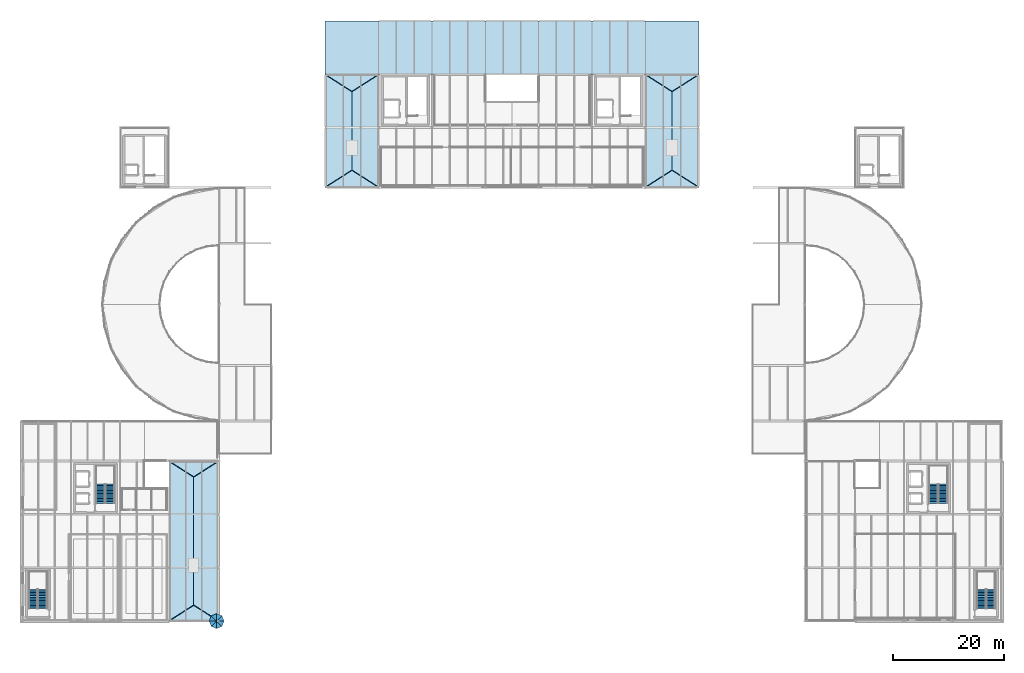
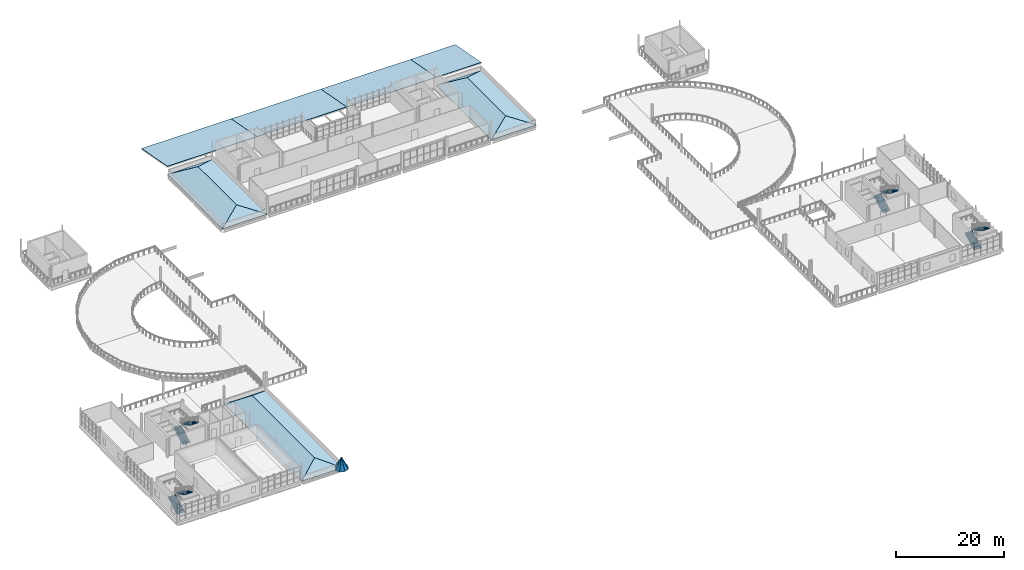
# One storey, part 49 of 58: 24 roofs, 8 stair flights, 4 elements without a shape of their own.
"""IFC4 building model written with IfcOpenShell, lengths in metres."""

from ifc_helpers import new_model, si_unit, direction, frame, origin, place, context, subcontext, project, spatial, polyline, outline, extrude, material, layer, layer_set, type_object, element, aggregate, save


model = new_model("IFC4")

# Units and contexts
model_context = context("Model", 3, precision=1e-05, world=origin(), true_north=direction((0.0, 1.0)))
body_context = subcontext(model_context, "Body", "Model", "MODEL_VIEW")
ifc_project = project(units=[si_unit("LENGTHUNIT", "METRE"), si_unit("AREAUNIT", "SQUARE_METRE"), si_unit("VOLUMEUNIT", "CUBIC_METRE"), si_unit("PLANEANGLEUNIT", "RADIAN"), si_unit("MASSUNIT", "GRAM", prefix="KILO")], contexts=[model_context])

# Site, building, storey
site_placement = place(None, origin())
site = spatial("IfcSite", under=ifc_project, at=site_placement, CompositionType="ELEMENT")
building_placement = place(site_placement, origin())
building = spatial("IfcBuilding", under=site, at=building_placement, Name="Yeouljin Market Hall", CompositionType="ELEMENT")
storey_placement = place(building_placement, frame((0.0, 0.0, 10.800048828125)))
storey = spatial("IfcBuildingStorey", under=building, at=storey_placement, Name="L02", CompositionType="ELEMENT", Elevation=10.800048828125)

# Stair, stair flights
ifc_material_1 = material(Name="Concrete C30/37", Category="concrete")
stair_type_1 = type_object("IfcStairType", Name="Stair_Core_L02_L03", PredefinedType="TWO_STRAIGHT_RUN_STAIR", material=ifc_material_1)
stair_1_placement = place(storey_placement, origin())
stair_1 = element("IfcStair", 1, at=stair_1_placement, inside=storey, type_object=stair_type_1, Name="Enclosed exit stair ST-C3-L02", PredefinedType="TWO_STRAIGHT_RUN_STAIR")
ifc_material_2 = material(Name="Concrete C30/37", Category="concrete")
ifc_layer_1 = layer(ifc_material_2, 0.159912109375)
ifc_layer_set_1 = layer_set([ifc_layer_1], Name="Concrete C30/37")
stair_flight_type_1 = type_object("IfcStairFlightType", Name="StairFlight_1580", PredefinedType="STRAIGHT", material=ifc_layer_set_1)
stair_flight_1_placement = place(storey_placement, frame((164.02001953125, 21.199951171875, 0.0), z_axis=(0.0, 0.0, 1.0), x_axis=(0.0, 1.0, 0.0)))
stair_flight_1 = element("IfcStairFlight", 2, at=stair_flight_1_placement, type_object=stair_flight_type_1, Name="ST-C3-L02 flight 1", NumberOfRisers=13, NumberOfTreads=12, PredefinedType="STRAIGHT", RiserHeight=0.161538462, TreadLength=0.29, context=body_context, shape_type="SweptSolid", body=[
    extrude(outline(polyline([(0.0, 0.0), (0.0, 0.16162109375), (0.2900390625, 0.16162109375), (0.2900390625, 0.322998046875), (0.580078125, 0.322998046875), (0.580078125, 0.484619140625), (0.8701171875, 0.484619140625), (0.8701171875, 0.646240234375), (1.159912109375, 0.646240234375), (1.159912109375, 0.8076171875), (1.449951171875, 0.8076171875), (1.449951171875, 0.96923828125), (1.739990234375, 0.96923828125), (1.739990234375, 1.130859375), (2.030029296875, 1.130859375), (2.030029296875, 1.292236328125), (2.320068359375, 1.292236328125), (2.320068359375, 1.453857421875), (2.610107421875, 1.453857421875), (2.610107421875, 1.615478515625), (2.89990234375, 1.615478515625), (2.89990234375, 1.77685546875), (3.18994140625, 1.77685546875), (3.18994140625, 1.9384765625), (3.47998046875, 1.9384765625), (3.47998046875, 2.10009765625), (3.47998046875, 1.732421875), (0.369873046875, 0.0), (0.0, 0.0)])), frame((0.0, 0.81005859375, 0.0), z_axis=(0.0, -1.0, 0.0), x_axis=(1.0, 0.0, 0.0)), (0.0, 0.0, 1.0), 1.6201171875),
])
stair_flight_2_placement = place(storey_placement, frame((165.719970703125, 24.679931640625, 2.099853515625), z_axis=(0.0, 0.0, 1.0), x_axis=(0.0, -1.0, 0.0)))
stair_flight_2 = element("IfcStairFlight", 3, at=stair_flight_2_placement, type_object=stair_flight_type_1, Name="ST-C3-L02 flight 2", NumberOfRisers=13, NumberOfTreads=12, PredefinedType="STRAIGHT", RiserHeight=0.161538462, TreadLength=0.29, context=body_context, shape_type="SweptSolid", body=[
    extrude(outline(polyline([(0.0, 0.0), (0.0, 0.16162109375), (0.2900390625, 0.16162109375), (0.2900390625, 0.322998046875), (0.580078125, 0.322998046875), (0.580078125, 0.484619140625), (0.8701171875, 0.484619140625), (0.8701171875, 0.646240234375), (1.159912109375, 0.646240234375), (1.159912109375, 0.8076171875), (1.449951171875, 0.8076171875), (1.449951171875, 0.96923828125), (1.739990234375, 0.96923828125), (1.739990234375, 1.130859375), (2.030029296875, 1.130859375), (2.030029296875, 1.292236328125), (2.320068359375, 1.292236328125), (2.320068359375, 1.453857421875), (2.610107421875, 1.453857421875), (2.610107421875, 1.615478515625), (2.89990234375, 1.615478515625), (2.89990234375, 1.77685546875), (3.18994140625, 1.77685546875), (3.18994140625, 1.9384765625), (3.47998046875, 1.9384765625), (3.47998046875, 2.10009765625), (3.47998046875, 1.732421875), (0.369873046875, 0.0), (0.0, 0.0)])), frame((0.0, 0.81005859375, 0.0), z_axis=(0.0, -1.0, 0.0), x_axis=(1.0, 0.0, 0.0)), (0.0, 0.0, 1.0), 1.6201171875),
])
aggregate(stair_1, [stair_flight_1, stair_flight_2])

ifc_material_3 = material(Name="Concrete C30/37", Category="concrete")
stair_type_2 = type_object("IfcStairType", Name="Stair_Escape_Wing", PredefinedType="HALF_TURN_STAIR", material=ifc_material_3)
stair_2_placement = place(storey_placement, origin())
stair_2 = element("IfcStair", 4, at=stair_2_placement, inside=storey, type_object=stair_type_2, Name="Enclosed exit stair ST-S8-L02", PredefinedType="HALF_TURN_STAIR")
ifc_material_4 = material(Name="Concrete C30/37", Category="concrete")
ifc_layer_2 = layer(ifc_material_4, 0.179931640625)
ifc_layer_set_2 = layer_set([ifc_layer_2], Name="Concrete C30/37")
stair_flight_type_2 = type_object("IfcStairFlightType", Name="StairFlight_1620", PredefinedType="STRAIGHT", material=ifc_layer_set_2)
stair_flight_3_placement = place(storey_placement, frame((172.64990234375, 2.25, 0.0), z_axis=(0.0, 0.0, 1.0), x_axis=(0.0, 1.0, 0.0)))
stair_flight_3 = element("IfcStairFlight", 5, at=stair_flight_3_placement, type_object=stair_flight_type_2, Name="ST-S8-L02 flight 1", NumberOfRisers=13, NumberOfTreads=12, PredefinedType="STRAIGHT", RiserHeight=0.161538462, TreadLength=0.29, context=body_context, shape_type="SweptSolid", body=[
    extrude(outline(polyline([(0.0, 0.0), (0.0, 0.16162109375), (0.2900390625, 0.16162109375), (0.2900390625, 0.322998046875), (0.580078125, 0.322998046875), (0.580078125, 0.484619140625), (0.8701171875, 0.484619140625), (0.8701171875, 0.646240234375), (1.159912109375, 0.646240234375), (1.159912109375, 0.8076171875), (1.449951171875, 0.8076171875), (1.449951171875, 0.96923828125), (1.739990234375, 0.96923828125), (1.739990234375, 1.130859375), (2.030029296875, 1.130859375), (2.030029296875, 1.292236328125), (2.320068359375, 1.292236328125), (2.320068359375, 1.453857421875), (2.610107421875, 1.453857421875), (2.610107421875, 1.615478515625), (2.89990234375, 1.615478515625), (2.89990234375, 1.77685546875), (3.18994140625, 1.77685546875), (3.18994140625, 1.9384765625), (3.47998046875, 1.9384765625), (3.47998046875, 2.10009765625), (3.47998046875, 1.732421875), (0.369873046875, 0.0), (0.0, 0.0)])), frame((0.0, 0.81005859375, 0.0), z_axis=(0.0, -1.0, 0.0), x_axis=(1.0, 0.0, 0.0)), (0.0, 0.0, 1.0), 1.6201171875),
])
stair_flight_4_placement = place(storey_placement, frame((174.35009765625, 5.72998046875, 2.099853515625), z_axis=(0.0, 0.0, 1.0), x_axis=(0.0, -1.0, 0.0)))
stair_flight_4 = element("IfcStairFlight", 6, at=stair_flight_4_placement, type_object=stair_flight_type_2, Name="ST-S8-L02 flight 2", NumberOfRisers=13, NumberOfTreads=12, PredefinedType="STRAIGHT", RiserHeight=0.161538462, TreadLength=0.29, context=body_context, shape_type="SweptSolid", body=[
    extrude(outline(polyline([(0.0, 0.0), (0.0, 0.16162109375), (0.2900390625, 0.16162109375), (0.2900390625, 0.322998046875), (0.580078125, 0.322998046875), (0.580078125, 0.484619140625), (0.8701171875, 0.484619140625), (0.8701171875, 0.646240234375), (1.159912109375, 0.646240234375), (1.159912109375, 0.8076171875), (1.449951171875, 0.8076171875), (1.449951171875, 0.96923828125), (1.739990234375, 0.96923828125), (1.739990234375, 1.130859375), (2.030029296875, 1.130859375), (2.030029296875, 1.292236328125), (2.320068359375, 1.292236328125), (2.320068359375, 1.453857421875), (2.610107421875, 1.453857421875), (2.610107421875, 1.615478515625), (2.89990234375, 1.615478515625), (2.89990234375, 1.77685546875), (3.18994140625, 1.77685546875), (3.18994140625, 1.9384765625), (3.47998046875, 1.9384765625), (3.47998046875, 2.10009765625), (3.47998046875, 1.732421875), (0.369873046875, 0.0), (0.0, 0.0)])), frame((0.0, 0.81005859375, 0.0), z_axis=(0.0, -1.0, 0.0), x_axis=(1.0, 0.0, 0.0)), (0.0, 0.0, 1.0), 1.6201171875),
])
aggregate(stair_2, [stair_flight_3, stair_flight_4])

stair_3_placement = place(storey_placement, origin())
stair_3 = element("IfcStair", 7, at=stair_3_placement, inside=storey, type_object=stair_type_1, Name="Enclosed exit stair ST-C1-L02", PredefinedType="TWO_STRAIGHT_RUN_STAIR")
ifc_material_5 = material(Name="Concrete C30/37", Category="concrete")
ifc_layer_3 = layer(ifc_material_5, 0.199951171875)
ifc_layer_set_3 = layer_set([ifc_layer_3], Name="Concrete C30/37")
stair_flight_type_3 = type_object("IfcStairFlightType", Name="StairFlight_1660", PredefinedType="STRAIGHT", material=ifc_layer_set_3)
stair_flight_5_placement = place(storey_placement, frame((14.14990234375, 21.199951171875, 0.0), z_axis=(0.0, 0.0, 1.0), x_axis=(0.0, 1.0, 0.0)))
stair_flight_5 = element("IfcStairFlight", 8, at=stair_flight_5_placement, type_object=stair_flight_type_3, Name="ST-C1-L02 flight 1", NumberOfRisers=13, NumberOfTreads=12, PredefinedType="STRAIGHT", RiserHeight=0.161538462, TreadLength=0.29, context=body_context, shape_type="SweptSolid", body=[
    extrude(outline(polyline([(0.0, 0.0), (0.0, 0.16162109375), (0.2900390625, 0.16162109375), (0.2900390625, 0.322998046875), (0.580078125, 0.322998046875), (0.580078125, 0.484619140625), (0.8701171875, 0.484619140625), (0.8701171875, 0.646240234375), (1.159912109375, 0.646240234375), (1.159912109375, 0.8076171875), (1.449951171875, 0.8076171875), (1.449951171875, 0.96923828125), (1.739990234375, 0.96923828125), (1.739990234375, 1.130859375), (2.030029296875, 1.130859375), (2.030029296875, 1.292236328125), (2.320068359375, 1.292236328125), (2.320068359375, 1.453857421875), (2.610107421875, 1.453857421875), (2.610107421875, 1.615478515625), (2.89990234375, 1.615478515625), (2.89990234375, 1.77685546875), (3.18994140625, 1.77685546875), (3.18994140625, 1.9384765625), (3.47998046875, 1.9384765625), (3.47998046875, 2.10009765625), (3.47998046875, 1.732421875), (0.369873046875, 0.0), (0.0, 0.0)])), frame((0.0, 0.81005859375, 0.0), z_axis=(0.0, -1.0, 0.0), x_axis=(1.0, 0.0, 0.0)), (0.0, 0.0, 1.0), 1.6201171875),
])
stair_flight_6_placement = place(storey_placement, frame((15.85009765625, 24.679931640625, 2.099853515625), z_axis=(0.0, 0.0, 1.0), x_axis=(0.0, -1.0, 0.0)))
stair_flight_6 = element("IfcStairFlight", 9, at=stair_flight_6_placement, type_object=stair_flight_type_3, Name="ST-C1-L02 flight 2", NumberOfRisers=13, NumberOfTreads=12, PredefinedType="STRAIGHT", RiserHeight=0.161538462, TreadLength=0.29, context=body_context, shape_type="SweptSolid", body=[
    extrude(outline(polyline([(0.0, 0.0), (0.0, 0.16162109375), (0.2900390625, 0.16162109375), (0.2900390625, 0.322998046875), (0.580078125, 0.322998046875), (0.580078125, 0.484619140625), (0.8701171875, 0.484619140625), (0.8701171875, 0.646240234375), (1.159912109375, 0.646240234375), (1.159912109375, 0.8076171875), (1.449951171875, 0.8076171875), (1.449951171875, 0.96923828125), (1.739990234375, 0.96923828125), (1.739990234375, 1.130859375), (2.030029296875, 1.130859375), (2.030029296875, 1.292236328125), (2.320068359375, 1.292236328125), (2.320068359375, 1.453857421875), (2.610107421875, 1.453857421875), (2.610107421875, 1.615478515625), (2.89990234375, 1.615478515625), (2.89990234375, 1.77685546875), (3.18994140625, 1.77685546875), (3.18994140625, 1.9384765625), (3.47998046875, 1.9384765625), (3.47998046875, 2.10009765625), (3.47998046875, 1.732421875), (0.369873046875, 0.0), (0.0, 0.0)])), frame((0.0, 0.81005859375, 0.0), z_axis=(0.0, -1.0, 0.0), x_axis=(1.0, 0.0, 0.0)), (0.0, 0.0, 1.0), 1.6201171875),
])
aggregate(stair_3, [stair_flight_5, stair_flight_6])

stair_4_placement = place(storey_placement, origin())
stair_4 = element("IfcStair", 10, at=stair_4_placement, inside=storey, type_object=stair_type_2, Name="Enclosed exit stair ST-S7-L02", PredefinedType="HALF_TURN_STAIR")
stair_flight_7_placement = place(storey_placement, frame((2.050048828125, 2.25, 0.0), z_axis=(0.0, 0.0, 1.0), x_axis=(0.0, 1.0, 0.0)))
stair_flight_7 = element("IfcStairFlight", 11, at=stair_flight_7_placement, type_object=stair_flight_type_3, Name="ST-S7-L02 flight 1", NumberOfRisers=13, NumberOfTreads=12, PredefinedType="STRAIGHT", RiserHeight=0.161538462, TreadLength=0.29, context=body_context, shape_type="SweptSolid", body=[
    extrude(outline(polyline([(0.0, 0.0), (0.0, 0.16162109375), (0.2900390625, 0.16162109375), (0.2900390625, 0.322998046875), (0.580078125, 0.322998046875), (0.580078125, 0.484619140625), (0.8701171875, 0.484619140625), (0.8701171875, 0.646240234375), (1.159912109375, 0.646240234375), (1.159912109375, 0.8076171875), (1.449951171875, 0.8076171875), (1.449951171875, 0.96923828125), (1.739990234375, 0.96923828125), (1.739990234375, 1.130859375), (2.030029296875, 1.130859375), (2.030029296875, 1.292236328125), (2.320068359375, 1.292236328125), (2.320068359375, 1.453857421875), (2.610107421875, 1.453857421875), (2.610107421875, 1.615478515625), (2.89990234375, 1.615478515625), (2.89990234375, 1.77685546875), (3.18994140625, 1.77685546875), (3.18994140625, 1.9384765625), (3.47998046875, 1.9384765625), (3.47998046875, 2.10009765625), (3.47998046875, 1.732421875), (0.369873046875, 0.0), (0.0, 0.0)])), frame((0.0, 0.81005859375, 0.0), z_axis=(0.0, -1.0, 0.0), x_axis=(1.0, 0.0, 0.0)), (0.0, 0.0, 1.0), 1.6201171875),
])
stair_flight_8_placement = place(storey_placement, frame((3.75, 5.72998046875, 2.099853515625), z_axis=(0.0, 0.0, 1.0), x_axis=(0.0, -1.0, 0.0)))
stair_flight_8 = element("IfcStairFlight", 12, at=stair_flight_8_placement, type_object=stair_flight_type_3, Name="ST-S7-L02 flight 2", NumberOfRisers=13, NumberOfTreads=12, PredefinedType="STRAIGHT", RiserHeight=0.161538462, TreadLength=0.29, context=body_context, shape_type="SweptSolid", body=[
    extrude(outline(polyline([(0.0, 0.0), (0.0, 0.16162109375), (0.2900390625, 0.16162109375), (0.2900390625, 0.322998046875), (0.580078125, 0.322998046875), (0.580078125, 0.484619140625), (0.8701171875, 0.484619140625), (0.8701171875, 0.646240234375), (1.159912109375, 0.646240234375), (1.159912109375, 0.8076171875), (1.449951171875, 0.8076171875), (1.449951171875, 0.96923828125), (1.739990234375, 0.96923828125), (1.739990234375, 1.130859375), (2.030029296875, 1.130859375), (2.030029296875, 1.292236328125), (2.320068359375, 1.292236328125), (2.320068359375, 1.453857421875), (2.610107421875, 1.453857421875), (2.610107421875, 1.615478515625), (2.89990234375, 1.615478515625), (2.89990234375, 1.77685546875), (3.18994140625, 1.77685546875), (3.18994140625, 1.9384765625), (3.47998046875, 1.9384765625), (3.47998046875, 2.10009765625), (3.47998046875, 1.732421875), (0.369873046875, 0.0), (0.0, 0.0)])), frame((0.0, 0.81005859375, 0.0), z_axis=(0.0, -1.0, 0.0), x_axis=(1.0, 0.0, 0.0)), (0.0, 0.0, 1.0), 1.6201171875),
])
aggregate(stair_4, [stair_flight_7, stair_flight_8])

# Roofs
ifc_material_6 = material(Name="Standing Seam Patinated Copper")
ifc_layer_4 = layer(ifc_material_6, 0.219970703125)
ifc_layer_set_4 = layer_set([ifc_layer_4], Name="Standing Seam Patinated Copper")
roof_type_1 = type_object("IfcRoofType", Name="Roof_Amsterdam_Mansard", PredefinedType="MANSARD_ROOF", material=ifc_layer_set_4)
for number, where, z_axis, x_axis, name in (
    (13, (26.550048828125, 28.800048828125, 0.050048828125), (-0.431903211594, 0.0, 0.90191996087), (0.0, -1.0, 0.0), "West boulevard pavilion mansard roof RF-V2-L02S-W"),
    (14, (35.320068359375, 0.0, 0.050048828125), (0.431903211594, 0.0, 0.90191996087), (0.0, 1.0, 0.0), "West boulevard pavilion mansard roof RF-V2-L02S-E"),
):
    element("IfcRoof", number, at=place(storey_placement, frame(where, z_axis=z_axis, x_axis=x_axis)), inside=storey, type_object=roof_type_1, Name=name, PredefinedType="MANSARD_ROOF", context=body_context, shape_type="SweptSolid", body=[
        extrude(outline(polyline([(0.0, 0.0), (28.800048828125, 0.0), (25.99365234375, 4.861861313500139), (2.806396484375, 4.861861313500139), (0.0, 0.0)])), origin(), (0.0, 0.0, -1.0), 0.219970703125),
    ])
for number, where, z_axis, x_axis, name in (
    (15, (26.550048828125, 0.0, 0.050048828125), (0.0, -0.599096897889, 0.800676530779), (1.0, 0.0, 0.0), "West boulevard pavilion mansard roof RF-V2-L02S-S"),
    (16, (35.320068359375, 28.800048828125, 0.050048828125), (0.0, 0.599096897889, 0.800676530779), (-1.0, 0.0, 0.0), "West boulevard pavilion mansard roof RF-V2-L02S-N"),
):
    element("IfcRoof", number, at=place(storey_placement, frame(where, z_axis=z_axis, x_axis=x_axis)), inside=storey, type_object=roof_type_1, Name=name, PredefinedType="MANSARD_ROOF", context=body_context, shape_type="SweptSolid", body=[
        extrude(outline(polyline([(0.0, 0.0), (8.77001953125, 0.0), (4.385009765625, 3.5050315283310978), (0.0, 0.0)])), origin(), (0.0, 0.0, -1.0), 0.219970703125),
    ])
roof_1_placement = place(storey_placement, frame((54.60009765625, 98.39990234375, 0.050048828125), z_axis=(-0.368045043678, 0.0, 0.929807961798), x_axis=(0.0, -1.0, 0.0)))
element("IfcRoof", 17, at=roof_1_placement, inside=storey, type_object=roof_type_1, Name="North west-shoulder mansard roof RF-V4-L02W-W", PredefinedType="MANSARD_ROOF", context=body_context, shape_type="SweptSolid", body=[
    extrude(outline(polyline([(0.0, 0.0), (20.39990234375, 0.0), (17.327880859375, 5.162146254605124), (3.072021484375, 5.162146254605124), (0.0, 0.0)])), origin(), (0.0, 0.0, -1.0), 0.219970703125),
])
roof_2_placement = place(storey_placement, frame((64.199951171875, 78.0, 0.050048828125), z_axis=(0.368028859659, 0.0, 0.929814367741), x_axis=(0.0, 1.0, 0.0)))
element("IfcRoof", 18, at=roof_2_placement, inside=storey, type_object=roof_type_1, Name="North west-shoulder mansard roof RF-V4-L02W-E", PredefinedType="MANSARD_ROOF", context=body_context, shape_type="SweptSolid", body=[
    extrude(outline(polyline([(0.0, 0.0), (20.39990234375, 0.0), (17.327880859375, 5.16237325928404), (3.072021484375, 5.16237325928404), (0.0, 0.0)])), origin(), (0.0, 0.0, -1.0), 0.219970703125),
])
roof_3_placement = place(storey_placement, frame((54.60009765625, 78.0, 0.050048828125), z_axis=(0.0, -0.525989244939, 0.85049121936), x_axis=(1.0, 0.0, 0.0)))
element("IfcRoof", 19, at=roof_3_placement, inside=storey, type_object=roof_type_1, Name="North west-shoulder mansard roof RF-V4-L02W-S", PredefinedType="MANSARD_ROOF", context=body_context, shape_type="SweptSolid", body=[
    extrude(outline(polyline([(0.0, 0.0), (9.599853515625, 0.0), (4.7998046875, 3.612055497393184), (0.0, 0.0)])), origin(), (0.0, 0.0, -1.0), 0.219970703125),
])
roof_4_placement = place(storey_placement, frame((64.199951171875, 98.39990234375, 0.050048828125), z_axis=(0.0, 0.525989244939, 0.85049121936), x_axis=(-1.0, 0.0, 0.0)))
element("IfcRoof", 20, at=roof_4_placement, inside=storey, type_object=roof_type_1, Name="North west-shoulder mansard roof RF-V4-L02W-N", PredefinedType="MANSARD_ROOF", context=body_context, shape_type="SweptSolid", body=[
    extrude(outline(polyline([(0.0, 0.0), (9.599853515625, 0.0), (4.800048828125, 3.612055497393184), (0.0, 0.0)])), origin(), (0.0, 0.0, -1.0), 0.219970703125),
])
for number, where, z_axis, x_axis, name in (
    (21, (112.199951171875, 98.39990234375, 0.050048828125), (-0.368028859659, 0.0, 0.929814367741), (0.0, -1.0, 0.0), "North east-shoulder mansard roof RF-V4-L02E-W"),
    (22, (121.800048828125, 78.0, 0.050048828125), (0.368028859659, 0.0, 0.929814367741), (0.0, 1.0, 0.0), "North east-shoulder mansard roof RF-V4-L02E-E"),
):
    element("IfcRoof", number, at=place(storey_placement, frame(where, z_axis=z_axis, x_axis=x_axis)), inside=storey, type_object=roof_type_1, Name=name, PredefinedType="MANSARD_ROOF", context=body_context, shape_type="SweptSolid", body=[
        extrude(outline(polyline([(0.0, 0.0), (20.39990234375, 0.0), (17.327880859375, 5.16237325928404), (3.072021484375, 5.16237325928404), (0.0, 0.0)])), origin(), (0.0, 0.0, -1.0), 0.219970703125),
    ])
for number, where, z_axis, x_axis, name in (
    (23, (112.199951171875, 78.0, 0.050048828125), (0.0, -0.525989244939, 0.85049121936), (1.0, 0.0, 0.0), "North east-shoulder mansard roof RF-V4-L02E-S"),
    (24, (121.800048828125, 98.39990234375, 0.050048828125), (0.0, 0.525989244939, 0.85049121936), (-1.0, 0.0, 0.0), "North east-shoulder mansard roof RF-V4-L02E-N"),
):
    element("IfcRoof", number, at=place(storey_placement, frame(where, z_axis=z_axis, x_axis=x_axis)), inside=storey, type_object=roof_type_1, Name=name, PredefinedType="MANSARD_ROOF", context=body_context, shape_type="SweptSolid", body=[
        extrude(outline(polyline([(0.0, 0.0), (9.60009765625, 0.0), (4.800048828125, 3.612055497393184), (0.0, 0.0)])), origin(), (0.0, 0.0, -1.0), 0.219970703125),
    ])
ifc_material_7 = material(Name="Standing Seam Patinated Copper")
ifc_layer_5 = layer(ifc_material_7, 0.179931640625)
ifc_layer_set_5 = layer_set([ifc_layer_5], Name="Standing Seam Patinated Copper")
roof_type_2 = type_object("IfcRoofType", Name="Roof_Boulevard_Canopy", PredefinedType="GABLE_ROOF", material=ifc_layer_set_5)
for number, where, z_axis, x_axis, name in (
    (25, (54.60009765625, 98.39990234375, 1.83984375), (0.0, 0.182286245299, 0.98324550585), (0.0, 0.98324550585, -0.182286245299), "North cold-store copper roof skin 1"),
    (26, (73.800048828125, 98.39990234375, 1.83984375), (0.0, 0.182286245299, 0.98324550585), (0.0, 0.98324550585, -0.182286245299), "North cold-store copper roof skin 2"),
    (27, (93.0, 98.39990234375, 1.83984375), (0.0, 0.182286245299, 0.98324550585), (0.0, 0.98324550585, -0.182286245299), "North cold-store copper roof skin 3"),
):
    element("IfcRoof", number, at=place(storey_placement, frame(where, z_axis=z_axis, x_axis=x_axis)), inside=storey, type_object=roof_type_2, Name=name, PredefinedType="GABLE_ROOF", context=body_context, shape_type="SweptSolid", body=[
        extrude(outline(polyline([(0.0, 0.0), (9.763683229803423, 0.0), (9.763683229803423, -19.199951171875), (0.0, -19.199951171875), (0.0, 0.0)])), origin(), (0.0, 0.0, -1.0), 0.080078125),
    ])
roof_5_placement = place(storey_placement, frame((112.199951171875, 98.39990234375, 1.83984375), z_axis=(0.0, 0.182286245299, 0.98324550585), x_axis=(0.0, 0.98324550585, -0.182286245299)))
element("IfcRoof", 28, at=roof_5_placement, inside=storey, type_object=roof_type_2, Name="North cold-store copper roof skin 4", PredefinedType="GABLE_ROOF", context=body_context, shape_type="SweptSolid", body=[
    extrude(outline(polyline([(0.0, 0.0), (9.763683229803423, 0.0), (9.763683229803423, -9.60009765625), (0.0, -9.60009765625), (0.0, 0.0)])), origin(), (0.0, 0.0, -1.0), 0.080078125),
])
ifc_material_8 = material(Name="Standing Seam Patinated Copper")
ifc_layer_6 = layer(ifc_material_8, 0.199951171875)
ifc_layer_set_6 = layer_set([ifc_layer_6], Name="Standing Seam Patinated Copper")
roof_type_3 = type_object("IfcRoofType", Name="Roof_Turret_Pavilion", PredefinedType="PAVILION_ROOF", material=ifc_layer_set_6)
roof_6_placement = place(storey_placement, frame((35.050048828125, 0.0, 2.550048828125), z_axis=(0.826760368017, 0.342333768752, 0.446402155739), x_axis=(0.475108996144, 0.0, -0.879926952527)))
element("IfcRoof", 29, at=roof_6_placement, inside=storey, type_object=roof_type_3, Name="Corner turret roof facet PORT-W-1", PredefinedType="PAVILION_ROOF", context=body_context, shape_type="SweptSolid", body=[
    extrude(outline(polyline([(0.0, 0.0), (2.841144930066957, 5.551115123125783e-17), (2.6533516037100573, 1.0159767746708428), (0.0, 0.0)])), origin(), (0.0, 0.0, -1.0), 0.179931640625),
])
roof_7_placement = place(storey_placement, frame((35.050048828125, 0.0, 2.550048828125), z_axis=(0.342508072386, 0.826670717918, 0.446434479501), x_axis=(0.33597984497, 0.33597984497, -0.879906294754)))
element("IfcRoof", 30, at=roof_7_placement, inside=storey, type_object=roof_type_3, Name="Corner turret roof facet PORT-W-2", PredefinedType="PAVILION_ROOF", context=body_context, shape_type="SweptSolid", body=[
    extrude(outline(polyline([(0.0, 0.0), (2.8412116323113454, 5.551115123125783e-17), (2.65337133812664, 1.0160631001172062), (0.0, 0.0)])), origin(), (0.0, 0.0, -1.0), 0.179931640625),
])
roof_8_placement = place(storey_placement, frame((35.050048828125, 0.0, 2.550048828125), z_axis=(-0.342508072386, 0.826670717918, 0.446434479501), x_axis=(0.0, 0.475175525499, -0.879891027325)))
element("IfcRoof", 31, at=roof_8_placement, inside=storey, type_object=roof_type_3, Name="Corner turret roof facet PORT-W-3", PredefinedType="PAVILION_ROOF", context=body_context, shape_type="SweptSolid", body=[
    extrude(outline(polyline([(0.0, 0.0), (2.8412609315956434, 0.0), (2.6533252989520983, 1.0160454702039938), (0.0, 0.0)])), origin(), (0.0, 0.0, -1.0), 0.179931640625),
])
roof_9_placement = place(storey_placement, frame((35.050048828125, 0.0, 2.550048828125), z_axis=(-0.826670717918, 0.342508072386, 0.446434479501), x_axis=(-0.33597984497, 0.33597984497, -0.879906294754)))
element("IfcRoof", 32, at=roof_9_placement, inside=storey, type_object=roof_type_3, Name="Corner turret roof facet PORT-W-4", PredefinedType="PAVILION_ROOF", context=body_context, shape_type="SweptSolid", body=[
    extrude(outline(polyline([(0.0, 0.0), (2.8412116323113454, 5.551115123125783e-17), (2.65337133812664, 1.0160631001172062), (0.0, 0.0)])), origin(), (0.0, 0.0, -1.0), 0.179931640625),
])
roof_10_placement = place(storey_placement, frame((35.050048828125, 0.0, 2.550048828125), z_axis=(-0.826670717918, -0.342508072386, 0.446434479501), x_axis=(-0.475175525499, 0.0, -0.879891027325)))
element("IfcRoof", 33, at=roof_10_placement, inside=storey, type_object=roof_type_3, Name="Corner turret roof facet PORT-W-5", PredefinedType="PAVILION_ROOF", context=body_context, shape_type="SweptSolid", body=[
    extrude(outline(polyline([(0.0, 0.0), (2.8412609315956434, 0.0), (2.6533252989520983, 1.0160454702039938), (0.0, 0.0)])), origin(), (0.0, 0.0, -1.0), 0.179931640625),
])
roof_11_placement = place(storey_placement, frame((35.050048828125, 0.0, 2.550048828125), z_axis=(-0.342508072386, -0.826670717918, 0.446434479501), x_axis=(-0.33597984497, -0.33597984497, -0.879906294754)))
element("IfcRoof", 34, at=roof_11_placement, inside=storey, type_object=roof_type_3, Name="Corner turret roof facet PORT-W-6", PredefinedType="PAVILION_ROOF", context=body_context, shape_type="SweptSolid", body=[
    extrude(outline(polyline([(0.0, 0.0), (2.8412116323113454, 5.551115123125783e-17), (2.65337133812664, 1.0160631001172062), (0.0, 0.0)])), origin(), (0.0, 0.0, -1.0), 0.179931640625),
])
roof_12_placement = place(storey_placement, frame((35.050048828125, 0.0, 2.550048828125), z_axis=(0.342508072386, -0.826670717918, 0.446434479501), x_axis=(0.0, -0.475175525499, -0.879891027325)))
element("IfcRoof", 35, at=roof_12_placement, inside=storey, type_object=roof_type_3, Name="Corner turret roof facet PORT-W-7", PredefinedType="PAVILION_ROOF", context=body_context, shape_type="SweptSolid", body=[
    extrude(outline(polyline([(0.0, 0.0), (2.8412609315956434, 0.0), (2.6533252989520983, 1.0160454702039938), (0.0, 0.0)])), origin(), (0.0, 0.0, -1.0), 0.179931640625),
])
roof_13_placement = place(storey_placement, frame((35.050048828125, 0.0, 2.550048828125), z_axis=(0.826760368017, -0.342333768752, 0.446402155739), x_axis=(0.33597984497, -0.33597984497, -0.879906294754)))
element("IfcRoof", 36, at=roof_13_placement, inside=storey, type_object=roof_type_3, Name="Corner turret roof facet PORT-W-8", PredefinedType="PAVILION_ROOF", context=body_context, shape_type="SweptSolid", body=[
    extrude(outline(polyline([(0.0, 0.0), (2.8412116323113454, 0.0), (2.6532893117973018, 1.0159529228991735), (0.0, 0.0)])), origin(), (0.0, 0.0, -1.0), 0.179931640625),
])

save(model, "model.ifc")
